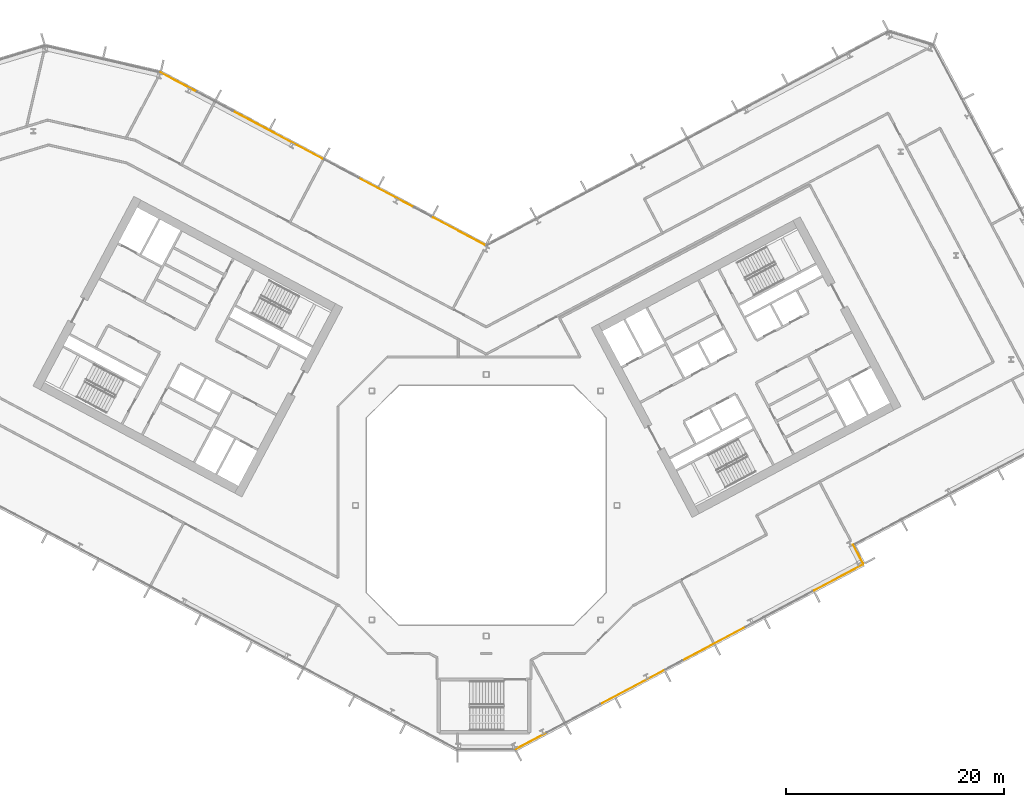
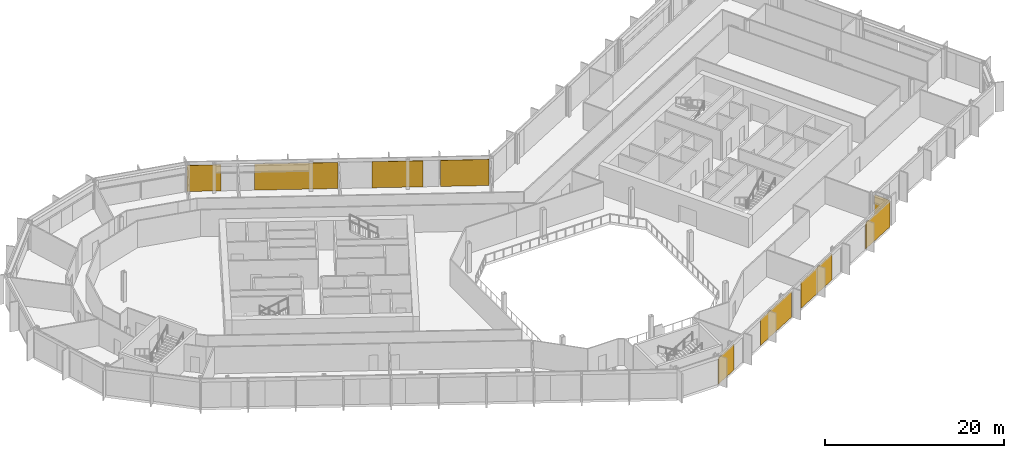
# One storey, part 24 of 28: 9 coverings, 3 elements without a shape of their own.
"""IFC4 building model written with IfcOpenShell, lengths in metres."""

from ifc_helpers import new_model, si_unit, direction, frame, origin, origin_2d, place, context, subcontext, project, spatial, rectangle, extrude, material, layer, layer_set, type_object, element, aggregate, save


model = new_model("IFC4")

# Units and contexts
model_context = context("Model", 3, precision=1e-05, world=origin(), true_north=direction((0.0, 1.0)))
body_context = subcontext(model_context, "Body", "Model", "MODEL_VIEW")
ifc_project = project(units=[si_unit("LENGTHUNIT", "METRE"), si_unit("AREAUNIT", "SQUARE_METRE"), si_unit("VOLUMEUNIT", "CUBIC_METRE"), si_unit("PLANEANGLEUNIT", "RADIAN"), si_unit("MASSUNIT", "GRAM", prefix="KILO")], contexts=[model_context])

# Site, building, storey
site_placement = place(None, origin())
site = spatial("IfcSite", under=ifc_project, at=site_placement, CompositionType="ELEMENT")
building_placement = place(site_placement, origin())
building = spatial("IfcBuilding", under=site, at=building_placement, Name="Cormorant Relay Tower", CompositionType="ELEMENT")
storey_placement = place(building_placement, frame((0.0, 0.0, 154.199951171875)))
storey = spatial("IfcBuildingStorey", under=building, at=storey_placement, Name="L32", CompositionType="ELEMENT", Elevation=154.199951171875)

# Curtain wall, coverings
ifc_material_1 = material(Name="Aluminium 6063-T6 anodised bronze", Category="aluminium")
ifc_layer_1 = layer(ifc_material_1, 0.199951171875)
ifc_layer_set_1 = layer_set([ifc_layer_1], Name="CW1 unitised bronze curtain wall with vertical fins")
curtain_wall_type = type_object("IfcCurtainWallType", Name="CW1 unitised bronze curtain wall with vertical fins", PredefinedType="NOTDEFINED", material=ifc_layer_set_1)
curtain_wall_1_placement = place(storey_placement, origin())
curtain_wall_1 = element("IfcCurtainWall", 1, at=curtain_wall_1_placement, inside=storey, type_object=curtain_wall_type, Name="CW1 curtain wall 2", PredefinedType="NOTDEFINED")
ifc_material_2 = material(Name="Pale bronze anodised aluminium insulated panel", Category="aluminium")
ifc_layer_2 = layer(ifc_material_2, 0.0400390625)
ifc_layer_set_2 = layer_set([ifc_layer_2], Name="CW1 pale bronze insulated panel 40")
covering_type = type_object("IfcCoveringType", Name="CW1 pale bronze insulated panel 40", PredefinedType="CLADDING", material=ifc_layer_set_2)
covering_1_placement = place(storey_placement, frame((4.14453125, -21.60302734375, 0.0), z_axis=(0.0, 0.0, 1.0), x_axis=(0.882947592859, 0.469471562786, 0.0)))
covering_1 = element("IfcCovering", 2, at=covering_1_placement, type_object=covering_type, Name="CW1 panel S00", PredefinedType="CLADDING", context=body_context, shape_type="SweptSolid", body=[
    extrude(rectangle(XDim=3.216552734375, YDim=0.0400390625, at=origin_2d()), origin(), (0.0, 0.0, 1.0), 3.550048828125),
])
covering_2_placement = place(storey_placement, frame((13.37109375, -16.697021484375, 0.0), z_axis=(0.0, 0.0, 1.0), x_axis=(0.882947592859, 0.469471562786, 0.0)))
covering_2 = element("IfcCovering", 3, at=covering_2_placement, type_object=covering_type, Name="CW1 panel S03", PredefinedType="CLADDING", context=body_context, shape_type="SweptSolid", body=[
    extrude(rectangle(XDim=6.5830078125, YDim=0.0400390625, at=origin_2d()), origin(), (0.0, 0.0, 1.0), 3.550048828125),
])
covering_3_placement = place(storey_placement, frame((20.905517578125, -12.69091796875, 0.0), z_axis=(0.0, 0.0, 1.0), x_axis=(0.882947592859, 0.469471562786, 0.0)))
covering_3 = element("IfcCovering", 4, at=covering_3_placement, type_object=covering_type, Name="CW1 panel S05", PredefinedType="CLADDING", context=body_context, shape_type="SweptSolid", body=[
    extrude(rectangle(XDim=6.5830078125, YDim=0.0400390625, at=origin_2d()), origin(), (0.0, 0.0, 1.0), 3.550048828125),
])
covering_4_placement = place(storey_placement, frame((32.343017578125, -6.609619140625, 0.0), z_axis=(0.0, 0.0, 1.0), x_axis=(0.882947592859, 0.469471562786, 0.0)))
covering_4 = element("IfcCovering", 5, at=covering_4_placement, type_object=covering_type, Name="CW1 panel S08", PredefinedType="CLADDING", context=body_context, shape_type="SweptSolid", body=[
    extrude(rectangle(XDim=5.091552734375, YDim=0.0400390625, at=origin_2d()), origin(), (0.0, 0.0, 1.0), 3.550048828125),
])
aggregate(curtain_wall_1, [covering_1, covering_2, covering_3, covering_4])

# Curtain wall, covering
curtain_wall_2_placement = place(storey_placement, origin())
curtain_wall_2 = element("IfcCurtainWall", 6, at=curtain_wall_2_placement, inside=storey, type_object=curtain_wall_type, Name="CW1 curtain wall 3", PredefinedType="NOTDEFINED")
covering_5_placement = place(storey_placement, frame((34.112060546875, -4.47119140625, 0.0), z_axis=(0.0, 0.0, 1.0), x_axis=(-0.469471562786, 0.882947592859, 0.0)))
covering_5 = element("IfcCovering", 7, at=covering_5_placement, type_object=covering_type, Name="CW1 panel S00", PredefinedType="CLADDING", context=body_context, shape_type="SweptSolid", body=[
    extrude(rectangle(XDim=1.925048828125, YDim=0.0400390625, at=origin_2d()), origin(), (0.0, 0.0, 1.0), 3.550048828125),
])
aggregate(curtain_wall_2, [covering_5])

# Curtain wall, coverings
curtain_wall_3_placement = place(storey_placement, origin())
curtain_wall_3 = element("IfcCurtainWall", 8, at=curtain_wall_3_placement, inside=storey, type_object=curtain_wall_type, Name="CW1 curtain wall 9", PredefinedType="NOTDEFINED")
covering_6_placement = place(storey_placement, frame((-2.51318359375, 25.142822265625, 0.0), z_axis=(0.0, 0.0, 1.0), x_axis=(-0.882947592859, 0.469471562786, 0.0)))
covering_6 = element("IfcCovering", 9, at=covering_6_placement, type_object=covering_type, Name="CW1 panel S00", PredefinedType="CLADDING", context=body_context, shape_type="SweptSolid", body=[
    extrude(rectangle(XDim=5.4140625, YDim=0.0400390625, at=origin_2d()), origin(), (0.0, 0.0, 1.0), 3.550048828125),
])
covering_7_placement = place(storey_placement, frame((-9.15380859375, 28.673828125, 0.0), z_axis=(0.0, 0.0, 1.0), x_axis=(-0.882947592859, 0.469471562786, 0.0)))
covering_7 = element("IfcCovering", 10, at=covering_7_placement, type_object=covering_type, Name="CW1 panel S02", PredefinedType="CLADDING", context=body_context, shape_type="SweptSolid", body=[
    extrude(rectangle(XDim=5.72802734375, YDim=0.0400390625, at=origin_2d()), origin(), (0.0, 0.0, 1.0), 3.550048828125),
])
covering_8_placement = place(storey_placement, frame((-19.11181640625, 33.968505859375, 0.0), z_axis=(0.0, 0.0, 1.0), x_axis=(-0.882947592859, 0.469471562786, 0.0)))
covering_8 = element("IfcCovering", 11, at=covering_8_placement, type_object=covering_type, Name="CW1 panel S04", PredefinedType="CLADDING", context=body_context, shape_type="SweptSolid", body=[
    extrude(rectangle(XDim=9.327880859375, YDim=0.0400390625, at=origin_2d()), origin(), (0.0, 0.0, 1.0), 3.550048828125),
])
covering_9_placement = place(storey_placement, frame((-28.20263671875, 38.80224609375, 0.0), z_axis=(0.0, 0.0, 1.0), x_axis=(-0.882947592859, 0.469471562786, 0.0)))
covering_9 = element("IfcCovering", 12, at=covering_9_placement, type_object=covering_type, Name="CW1 panel S07", PredefinedType="CLADDING", context=body_context, shape_type="SweptSolid", body=[
    extrude(rectangle(XDim=3.763916015625, YDim=0.0400390625, at=origin_2d()), origin(), (0.0, 0.0, 1.0), 3.550048828125),
])
aggregate(curtain_wall_3, [covering_6, covering_7, covering_8, covering_9])

save(model, "model.ifc")
